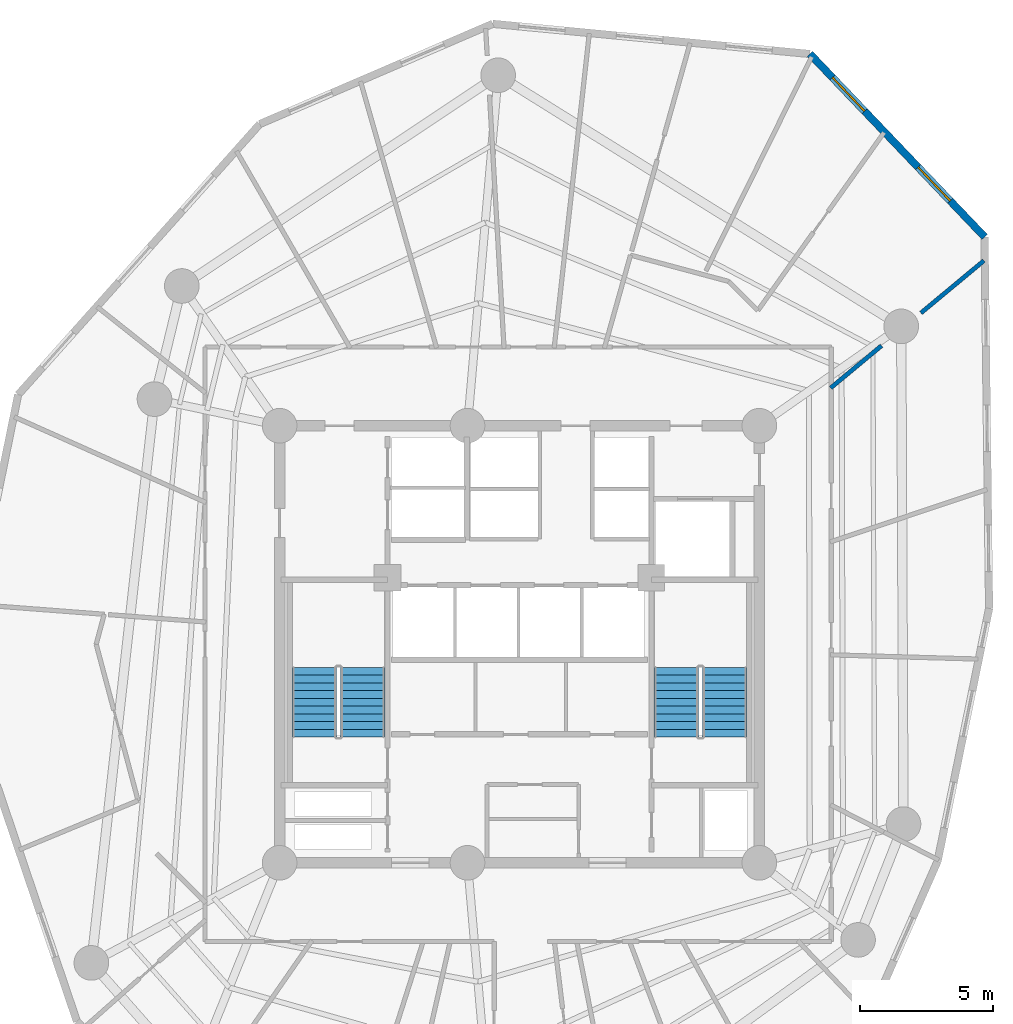
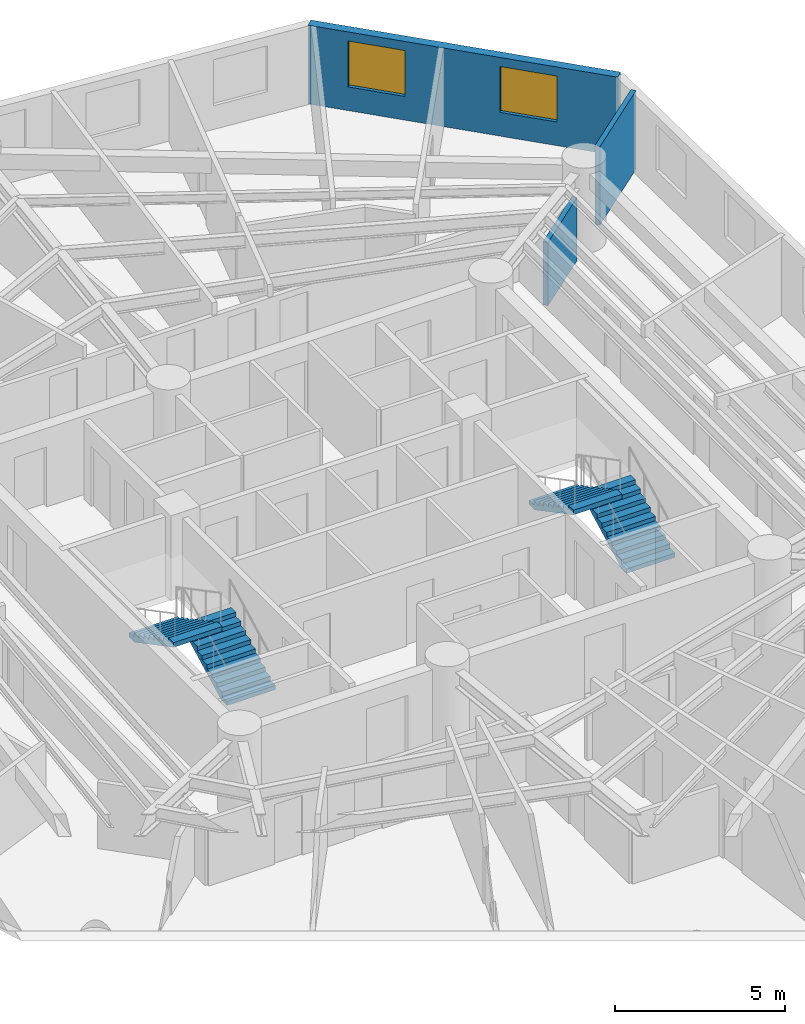
# One storey, part 7 of 8: 4 stair flights, 3 walls, 2 windows, 2 openings, 2 elements without a shape of their own.
"""IFC4 building model written with IfcOpenShell, lengths in metres."""

from ifc_helpers import new_model, si_unit, direction, frame, frame_2d, origin, origin_with_axes, place, context, subcontext, project, spatial, polyline, rectangle, outline, extrude, source, transform, mapped, material, layer, layer_set, type_object, element, fill, aggregate, save


model = new_model("IFC4")

# Units and contexts
model_context = context("Model", 3, precision=1e-05, world=origin(), true_north=direction((0.0, 1.0)))
body_context = subcontext(model_context, "Body", "Model", "MODEL_VIEW")
ifc_project = project(units=[si_unit("LENGTHUNIT", "METRE"), si_unit("AREAUNIT", "SQUARE_METRE"), si_unit("VOLUMEUNIT", "CUBIC_METRE"), si_unit("PLANEANGLEUNIT", "RADIAN"), si_unit("MASSUNIT", "GRAM", prefix="KILO")], contexts=[model_context])

# Site, building, storey
site_placement = place(None, origin())
site = spatial("IfcSite", under=ifc_project, at=site_placement, CompositionType="ELEMENT")
building_placement = place(site_placement, origin())
building = spatial("IfcBuilding", under=site, at=building_placement, Name="Karkom Vertical University and Central Library", CompositionType="ELEMENT")
storey_placement = place(building_placement, frame((0.0, 0.0, 159.60009765625)))
storey = spatial("IfcBuildingStorey", under=building, at=storey_placement, Name="L45", CompositionType="ELEMENT", Elevation=159.60009765625)

# Wall, openings, windows
ifc_material_1 = material(Name="Brick-faced precast concrete C45/55", Category="masonry")
ifc_layer_1 = layer(ifc_material_1, 0.280029296875)
ifc_layer_set_1 = layer_set([ifc_layer_1], Name="Brick-faced precast concrete C45/55")
wall_type_1 = type_object("IfcWallType", Name="ENV-WL-BRK-280", PredefinedType="SOLIDWALL", material=ifc_layer_set_1)
wall_1_placement = place(storey_placement, frame((45.955078125, 41.7841796875, 0.0), z_axis=(0.0, 0.0, 1.0), x_axis=(-0.69056563177, 0.723269734068, 0.0)))
wall_1 = element("IfcWall", 1, at=wall_1_placement, inside=storey, type_object=wall_type_1, Name="Level 45 Brick-Faced Precast Facade Wall 09", PredefinedType="SOLIDWALL", context=body_context, shape_type="SweptSolid", body=[
    extrude(rectangle(XDim=9.49560546875, YDim=0.280029296875, at=frame_2d((4.747802734375, 0.0))), origin(), (0.0, 0.0, 1.0), 2.824951171875),
])
opening_1_placement = place(wall_1_placement, frame((1.872314453125, 0.0, 0.85009765625)))
opening_1 = element("IfcOpeningElement", 2, at=opening_1_placement, cuts=wall_1, Name="Opening WN-08", PredefinedType="OPENING", context=body_context, shape_type="SweptSolid", body=[
    extrude(rectangle(XDim=1.75, YDim=1.64990234375, at=frame_2d((0.875, 0.824951171875))), frame((0.0, 0.14990234375, 0.0), z_axis=(0.0, -1.0, 0.0), x_axis=(1.0, 0.0, 0.0)), (0.0, 0.0, 1.0), 0.300048828125),
])
opening_2_placement = place(wall_1_placement, frame((6.520263671875, 0.0, 0.85009765625)))
opening_2 = element("IfcOpeningElement", 3, at=opening_2_placement, cuts=wall_1, Name="Opening WN-08", PredefinedType="OPENING", context=body_context, shape_type="SweptSolid", body=[
    extrude(rectangle(XDim=1.75, YDim=1.64990234375, at=frame_2d((0.875, 0.824951171875))), frame((0.0, 0.14990234375, 0.0), z_axis=(0.0, -1.0, 0.0), x_axis=(1.0, 0.0, 0.0)), (0.0, 0.0, 1.0), 0.300048828125),
])
ifc_material_2 = material(Name="Aluminium thermal-break frame with solar-control IGU", Category="aluminium")
window_type = type_object("IfcWindowType", Name="ENV-WIN-WN-08", PartitioningType="SINGLE_PANEL", PredefinedType="WINDOW", material=ifc_material_2)
shared_shape = source(origin_with_axes(), body_context, "Body", "SweptSolid", [
    extrude(rectangle(XDim=1.75, YDim=1.64990234375, at=frame_2d((0.875, 0.824951171875))), frame((0.0, 0.030029296875, 0.0), z_axis=(0.0, -1.0, 0.0), x_axis=(1.0, 0.0, 0.0)), (0.0, 0.0, 1.0), 0.06005859375),
])
window_1_placement = place(opening_1_placement, origin())
window_1 = element("IfcWindow", 4, at=window_1_placement, inside=storey, type_object=window_type, Name="Level 45 Punched Window 9.1", OverallHeight=1.64990234375, OverallWidth=1.75, PartitioningType="SINGLE_PANEL", PredefinedType="WINDOW", context=body_context, shape_type="MappedRepresentation", body=[
    mapped(shared_shape, transform((0.0, 0.0, 0.0), scale=1.0)),
])
fill(opening_1, window_1)
window_2_placement = place(opening_2_placement, origin())
window_2 = element("IfcWindow", 5, at=window_2_placement, inside=storey, type_object=window_type, Name="Level 45 Punched Window 9.2", OverallHeight=1.64990234375, OverallWidth=1.75, PartitioningType="SINGLE_PANEL", PredefinedType="WINDOW", context=body_context, shape_type="MappedRepresentation", body=[
    mapped(shared_shape, transform((0.0, 0.0, 0.0), scale=1.0)),
])
fill(opening_2, window_2)

# Walls
ifc_material_3 = material(Name="Insulated metal-stud drywall 160mm", Category="gypsum")
ifc_layer_2 = layer(ifc_material_3, 0.159912109375)
ifc_layer_set_2 = layer_set([ifc_layer_2], Name="Insulated metal-stud drywall 160mm")
wall_type_2 = type_object("IfcWallType", Name="INT-WL-COR-160", PredefinedType="PARTITIONING", material=ifc_layer_set_2)
wall_2_placement = place(storey_placement, frame((43.56396484375, 38.931640625, 0.0), z_axis=(0.0, 0.0, 1.0), x_axis=(0.769321413295, 0.638861927998, 0.0)))
element("IfcWall", 6, at=wall_2_placement, inside=storey, type_object=wall_type_2, Name="Level 45 Interior Partition Wall L45-PW-025", PredefinedType="PARTITIONING", context=body_context, shape_type="SweptSolid", body=[
    extrude(rectangle(XDim=3.071044921875, YDim=0.159912109375, at=frame_2d((1.53564453125, 0.0))), origin(), (0.0, 0.0, 1.0), 2.824951171875),
])
wall_3_placement = place(storey_placement, frame((40.177001953125, 36.118896484375, 0.0), z_axis=(0.0, 0.0, 1.0), x_axis=(0.769293885558, 0.638895075613, 0.0)))
element("IfcWall", 7, at=wall_3_placement, inside=storey, type_object=wall_type_2, Name="Level 45 Interior Partition Wall L45-PW-024", PredefinedType="PARTITIONING", context=body_context, shape_type="SweptSolid", body=[
    extrude(rectangle(XDim=2.478759765625, YDim=0.159912109375, at=frame_2d((1.2392578125, 0.0))), origin(), (0.0, 0.0, 1.0), 2.27490234375),
])

# Stair, stair flights
ifc_material_4 = material(Name="Concrete C45/55", Category="concrete")
stair_type = type_object("IfcStairType", Name="INT-STR-ST-MAIN", PredefinedType="HALF_TURN_STAIR", material=ifc_material_4)
stair_1_placement = place(storey_placement, origin())
stair_1 = element("IfcStair", 8, at=stair_1_placement, inside=storey, type_object=stair_type, Name="Level 45 Tower Protected Exit Stair ST-1", PredefinedType="HALF_TURN_STAIR")
stair_flight_type = type_object("IfcStairFlightType", Name="INT-SFL-ST-MAIN", PredefinedType="STRAIGHT", material=ifc_material_4)
stair_flight_1_placement = place(storey_placement, frame((22.614990234375, 23.02001953125, 0.0), z_axis=(0.0, 0.0, 1.0), x_axis=(0.0, 1.0, 0.0)))
stair_flight_1 = element("IfcStairFlight", 9, at=stair_flight_1_placement, type_object=stair_flight_type, Name="ST-1 flight 1", NumberOfRisers=10, NumberOfTreads=9, PredefinedType="STRAIGHT", RiserHeight=0.1525, TreadLength=0.29, context=body_context, shape_type="SweptSolid", body=[
    extrude(outline(polyline([(0.0, 0.0), (0.0, 0.152587890625), (0.2900390625, 0.152587890625), (0.2900390625, 0.304931640625), (0.580078125, 0.304931640625), (0.580078125, 0.45751953125), (0.8701171875, 0.45751953125), (0.8701171875, 0.610107421875), (1.159912109375, 0.610107421875), (1.159912109375, 0.762451171875), (1.449951171875, 0.762451171875), (1.449951171875, 0.9150390625), (1.739990234375, 0.9150390625), (1.739990234375, 1.0673828125), (2.030029296875, 1.0673828125), (2.030029296875, 1.219970703125), (2.320068359375, 1.219970703125), (2.320068359375, 1.37255859375), (2.610107421875, 1.37255859375), (2.610107421875, 1.52490234375), (2.610107421875, 1.203125), (0.322021484375, 0.0), (0.0, 0.0)])), frame((0.0, 0.824951171875, 0.0), z_axis=(0.0, -1.0, 0.0), x_axis=(1.0, 0.0, 0.0)), (0.0, 0.0, 1.0), 1.64990234375),
])
stair_flight_2_placement = place(storey_placement, frame((20.804931640625, 25.6298828125, 1.52490234375), z_axis=(0.0, 0.0, 1.0), x_axis=(0.0, -1.0, 0.0)))
stair_flight_2 = element("IfcStairFlight", 10, at=stair_flight_2_placement, type_object=stair_flight_type, Name="ST-1 flight 2", NumberOfRisers=10, NumberOfTreads=9, PredefinedType="STRAIGHT", RiserHeight=0.1525, TreadLength=0.29, context=body_context, shape_type="SweptSolid", body=[
    extrude(outline(polyline([(0.0, 0.0), (0.0, 0.152587890625), (0.2900390625, 0.152587890625), (0.2900390625, 0.304931640625), (0.580078125, 0.304931640625), (0.580078125, 0.45751953125), (0.8701171875, 0.45751953125), (0.8701171875, 0.610107421875), (1.159912109375, 0.610107421875), (1.159912109375, 0.762451171875), (1.449951171875, 0.762451171875), (1.449951171875, 0.9150390625), (1.739990234375, 0.9150390625), (1.739990234375, 1.0673828125), (2.030029296875, 1.0673828125), (2.030029296875, 1.219970703125), (2.320068359375, 1.219970703125), (2.320068359375, 1.37255859375), (2.610107421875, 1.37255859375), (2.610107421875, 1.52490234375), (2.610107421875, 1.203125), (0.322021484375, 0.0), (0.0, 0.0)])), frame((0.0, 0.824951171875, 0.0), z_axis=(0.0, -1.0, 0.0), x_axis=(1.0, 0.0, 0.0)), (0.0, 0.0, 1.0), 1.64990234375),
])
aggregate(stair_1, [stair_flight_1, stair_flight_2])

stair_2_placement = place(storey_placement, origin())
stair_2 = element("IfcStair", 11, at=stair_2_placement, inside=storey, type_object=stair_type, Name="Level 45 Tower Protected Exit Stair ST-2", PredefinedType="HALF_TURN_STAIR")
stair_flight_3_placement = place(storey_placement, frame((36.195068359375, 23.02001953125, 0.0), z_axis=(0.0, 0.0, 1.0), x_axis=(0.0, 1.0, 0.0)))
stair_flight_3 = element("IfcStairFlight", 12, at=stair_flight_3_placement, type_object=stair_flight_type, Name="ST-2 flight 1", NumberOfRisers=10, NumberOfTreads=9, PredefinedType="STRAIGHT", RiserHeight=0.1525, TreadLength=0.29, context=body_context, shape_type="SweptSolid", body=[
    extrude(outline(polyline([(0.0, 0.0), (0.0, 0.152587890625), (0.2900390625, 0.152587890625), (0.2900390625, 0.304931640625), (0.580078125, 0.304931640625), (0.580078125, 0.45751953125), (0.8701171875, 0.45751953125), (0.8701171875, 0.610107421875), (1.159912109375, 0.610107421875), (1.159912109375, 0.762451171875), (1.449951171875, 0.762451171875), (1.449951171875, 0.9150390625), (1.739990234375, 0.9150390625), (1.739990234375, 1.0673828125), (2.030029296875, 1.0673828125), (2.030029296875, 1.219970703125), (2.320068359375, 1.219970703125), (2.320068359375, 1.37255859375), (2.610107421875, 1.37255859375), (2.610107421875, 1.52490234375), (2.610107421875, 1.203125), (0.322021484375, 0.0), (0.0, 0.0)])), frame((0.0, 0.824951171875, 0.0), z_axis=(0.0, -1.0, 0.0), x_axis=(1.0, 0.0, 0.0)), (0.0, 0.0, 1.0), 1.64990234375),
])
stair_flight_4_placement = place(storey_placement, frame((34.385009765625, 25.6298828125, 1.52490234375), z_axis=(0.0, 0.0, 1.0), x_axis=(0.0, -1.0, 0.0)))
stair_flight_4 = element("IfcStairFlight", 13, at=stair_flight_4_placement, type_object=stair_flight_type, Name="ST-2 flight 2", NumberOfRisers=10, NumberOfTreads=9, PredefinedType="STRAIGHT", RiserHeight=0.1525, TreadLength=0.29, context=body_context, shape_type="SweptSolid", body=[
    extrude(outline(polyline([(0.0, 0.0), (0.0, 0.152587890625), (0.2900390625, 0.152587890625), (0.2900390625, 0.304931640625), (0.580078125, 0.304931640625), (0.580078125, 0.45751953125), (0.8701171875, 0.45751953125), (0.8701171875, 0.610107421875), (1.159912109375, 0.610107421875), (1.159912109375, 0.762451171875), (1.449951171875, 0.762451171875), (1.449951171875, 0.9150390625), (1.739990234375, 0.9150390625), (1.739990234375, 1.0673828125), (2.030029296875, 1.0673828125), (2.030029296875, 1.219970703125), (2.320068359375, 1.219970703125), (2.320068359375, 1.37255859375), (2.610107421875, 1.37255859375), (2.610107421875, 1.52490234375), (2.610107421875, 1.203125), (0.322021484375, 0.0), (0.0, 0.0)])), frame((0.0, 0.824951171875, 0.0), z_axis=(0.0, -1.0, 0.0), x_axis=(1.0, 0.0, 0.0)), (0.0, 0.0, 1.0), 1.64990234375),
])
aggregate(stair_2, [stair_flight_3, stair_flight_4])

save(model, "model.ifc")
